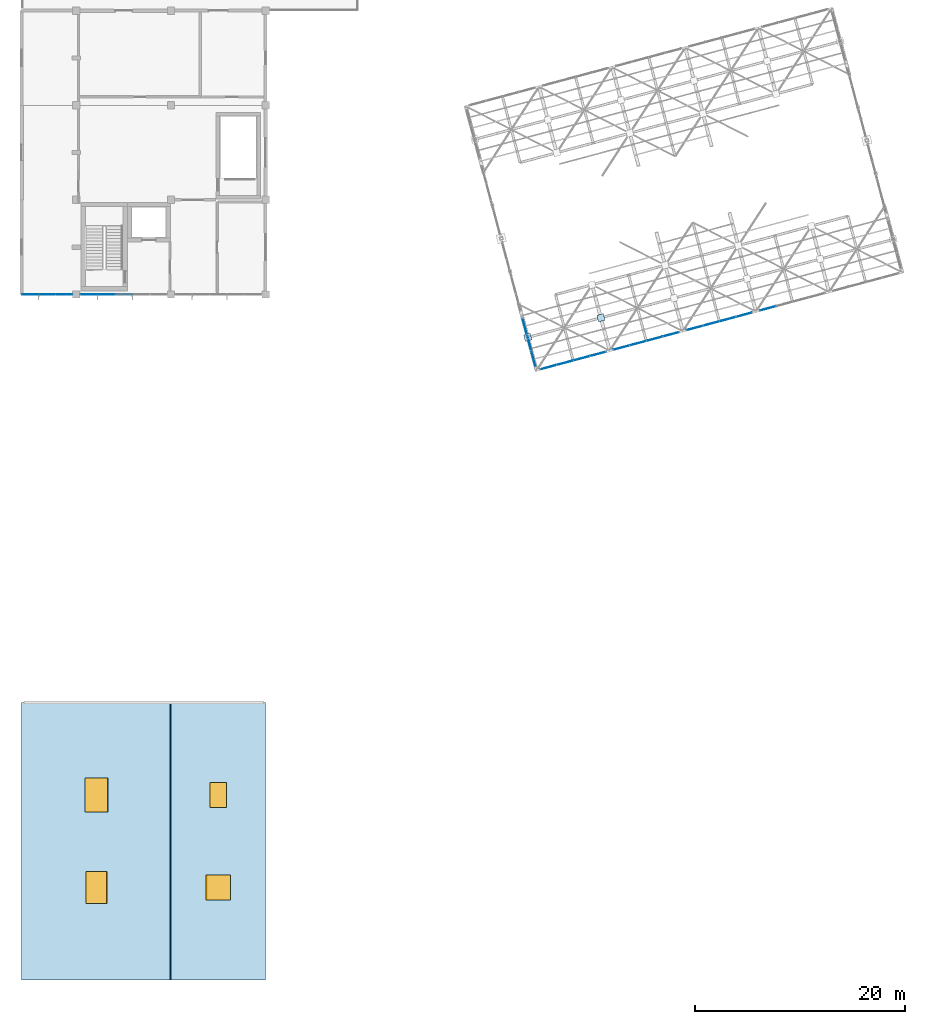
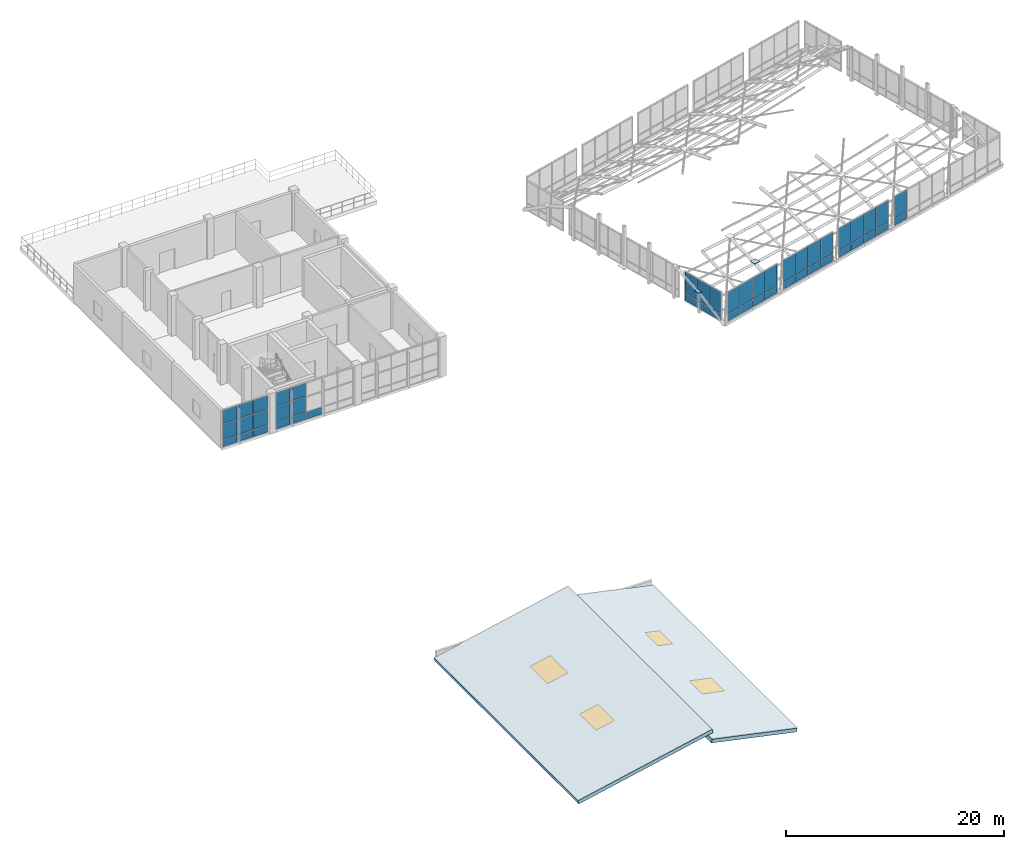
# One storey, part 22 of 29: 50 plates, 4 windows, 2 slabs, 4 openings, 7 elements without a shape of their own.
"""IFC4 building model written with IfcOpenShell, lengths in metres."""

import ifcopenshell
import ifcopenshell.guid

model = None  # the IFC model being written
_history = None  # IfcOwnerHistory: only IFC2X3 demands one
_inside = {}  # id of a spatial element -> (the spatial element, [elements in it])
_under = {}  # id of a project, library or spatial element -> (it, [spatial elements below it])
_declared = {}  # id of a project -> (the project, [libraries it declares])
_typed = {}  # id of a type object -> (the type object, [elements of that type])
_made_of = {}  # id of a material, layer set ... -> (it, [elements and type objects made of it])


def new_model(schema):
    """Start an empty IFC model of exactly this schema.

    Asked for "IFC4X3", IfcOpenShell would pick the latest addendum, in which some entities
    have other attributes; the version numbers below select the first issue.
    IFC2X3 requires an IfcOwnerHistory on every rooted entity: one is made here for all.
    """
    global model, _history
    if schema == "IFC4X3":
        model = ifcopenshell.file(schema_version=(4, 3, 0, 0))
    else:
        model = ifcopenshell.file(schema=schema)
    _inside.clear()
    _under.clear()
    _declared.clear()
    _typed.clear()
    _made_of.clear()
    _history = None
    if model.schema == "IFC2X3":
        org = make("IfcOrganization", Name="unknown")
        user = make(
            "IfcPersonAndOrganization",
            ThePerson=make("IfcPerson", FamilyName="unknown"),
            TheOrganization=org,
        )
        app = make(
            "IfcApplication",
            ApplicationDeveloper=org,
            Version="unknown",
            ApplicationFullName="unknown",
            ApplicationIdentifier="unknown",
        )
        _history = make(
            "IfcOwnerHistory",
            OwningUser=user,
            OwningApplication=app,
            ChangeAction="ADDED",
            CreationDate=0,
        )
    return model


def make(cls, **values):
    """One entity of the class cls with the attributes given. An attribute that is None is left unset."""
    return model.create_entity(
        cls, **{name: value for name, value in values.items() if value is not None}
    )


def rooted(cls, **values):
    """An entity with a GlobalId (a new one), such as an element, a storey or a relation."""
    return make(cls, GlobalId=ifcopenshell.guid.new(), OwnerHistory=_history, **values)


def si_unit(unit_type, name, prefix=None):
    """IfcSIUnit, for example si_unit("LENGTHUNIT", "METRE", prefix="MILLI")."""
    return make("IfcSIUnit", UnitType=unit_type, Prefix=prefix, Name=name)


def assignment(units):
    """IfcUnitAssignment: the units of a project."""
    return None if units is None else make("IfcUnitAssignment", Units=units)


def point(xyz):
    """IfcCartesianPoint."""
    return None if xyz is None else make("IfcCartesianPoint", Coordinates=xyz)


def direction(xyz):
    """IfcDirection."""
    return None if xyz is None else make("IfcDirection", DirectionRatios=xyz)


def frame(location, z_axis=None, x_axis=None):
    """IfcAxis2Placement3D, a coordinate frame: its origin and axes. An axis left out is left unset."""
    return make(
        "IfcAxis2Placement3D",
        Location=point(location),
        Axis=direction(z_axis),
        RefDirection=direction(x_axis),
    )


def frame_2d(location, x_axis=None):
    """IfcAxis2Placement2D, a coordinate frame in the plane: its origin and x axis."""
    return make(
        "IfcAxis2Placement2D", Location=point(location), RefDirection=direction(x_axis)
    )


def origin():
    """The frame at (0, 0, 0) with its axes left unset."""
    return frame((0.0, 0.0, 0.0))


def origin_2d():
    """The frame at (0, 0) in the plane with its x axis left unset."""
    return frame_2d((0.0, 0.0))


def place(relative_to, where):
    """IfcLocalPlacement: puts the frame where relative to a parent placement (None: the world)."""
    return make(
        "IfcLocalPlacement", PlacementRelTo=relative_to, RelativePlacement=where
    )


def context(
    kind, dimensions, precision=None, world=None, true_north=None, identifier=None
):
    """IfcGeometricRepresentationContext, for example the 3D "Model" context."""
    return make(
        "IfcGeometricRepresentationContext",
        ContextIdentifier=identifier,
        ContextType=kind,
        CoordinateSpaceDimension=dimensions,
        Precision=precision,
        WorldCoordinateSystem=world,
        TrueNorth=true_north,
    )


def subcontext(parent, identifier, kind, view, scale=None):
    """IfcGeometricRepresentationSubContext, for example "Body" below "Model"."""
    return make(
        "IfcGeometricRepresentationSubContext",
        ContextIdentifier=identifier,
        ContextType=kind,
        ParentContext=parent,
        TargetScale=scale,
        TargetView=view,
    )


def project(units=None, contexts=None):
    """IfcProject with its units and contexts."""
    return rooted(
        "IfcProject",
        Name="project",
        RepresentationContexts=contexts,
        UnitsInContext=assignment(units),
    )


def spatial(cls, under=None, at=None, **own):
    """A site, building, storey or space (cls), placed at a placement, below another one or the project."""
    s = rooted(cls, ObjectPlacement=at, **own)
    if under is not None:
        _under.setdefault(under.id(), (under, []))[1].append(s)
    return s


def polyline(points):
    """IfcPolyline through the points."""
    return make("IfcPolyline", Points=[point(p) for p in points])


def profile(cls, at=None, kind="AREA", **sizes):
    """A parametric profile (cls). Its sizes go by their IFC names, for example OverallWidth=200.0."""
    return make(cls, ProfileType=kind, Position=at, **sizes)


def rectangle(**sizes):
    """IfcRectangleProfileDef."""
    return profile("IfcRectangleProfileDef", **sizes)


def outline(outer, holes=None, kind="AREA"):
    """IfcArbitraryClosedProfileDef: a profile drawn as a closed curve; with holes, ...WithVoids."""
    if holes is None:
        return make("IfcArbitraryClosedProfileDef", ProfileType=kind, OuterCurve=outer)
    return make(
        "IfcArbitraryProfileDefWithVoids",
        ProfileType=kind,
        OuterCurve=outer,
        InnerCurves=holes,
    )


def extrude(swept, where, along, depth):
    """IfcExtrudedAreaSolid: the profile swept, set in the frame where, extruded along a direction by depth."""
    return make(
        "IfcExtrudedAreaSolid",
        SweptArea=swept,
        Position=where,
        ExtrudedDirection=direction(along),
        Depth=depth,
    )


def shape(context_of_items, identifier, shape_type, items):
    """IfcShapeRepresentation: the items that make up one representation, for example the "Body"."""
    return make(
        "IfcShapeRepresentation",
        ContextOfItems=context_of_items,
        RepresentationIdentifier=identifier,
        RepresentationType=shape_type,
        Items=items,
    )


def material(Name=None, Category=None):
    """IfcMaterial."""
    return make("IfcMaterial", Name=Name, Category=Category)


def layer(
    of_material, thickness, ventilated=None, Name=None, Category=None, Priority=None
):
    """IfcMaterialLayer: one layer of a wall or slab, of a material (None: an air gap)."""
    return make(
        "IfcMaterialLayer",
        Material=of_material,
        LayerThickness=thickness,
        IsVentilated=ventilated,
        Name=Name,
        Category=Category,
        Priority=Priority,
    )


def layer_set(layers, Name=None):
    """IfcMaterialLayerSet."""
    return make("IfcMaterialLayerSet", MaterialLayers=layers, LayerSetName=Name)


def made_of(thing, what):
    """Note that an element or type object is made of a material, layer set ...; save() writes the relation."""
    if what is not None:
        _made_of.setdefault(what.id(), (what, []))[1].append(thing)
    return thing


def type_object(cls, material=None, **own):
    """A type object (cls), such as IfcWallType, which elements share."""
    return made_of(rooted(cls, **own), material)


def element(
    cls,
    number,
    at=None,
    inside=None,
    cuts=None,
    type_object=None,
    material=None,
    context=None,
    identifier="Body",
    shape_type=None,
    held_by="IfcProductDefinitionShape",
    body=None,
    shapes=None,
    **own,
):
    """One element of the class cls, such as IfcWall. Its Tag is "e" and its number.

    at: its placement. inside: the storey or other place that contains it. cuts: it is an
    opening in that element (IfcRelVoidsElement). A single representation is given by context,
    identifier, shape_type and body (its items); several are given by shapes. held_by: the class
    of the entity that holds the representations. save() writes the other relations.
    """
    e = rooted(cls, Tag="e%d" % number, ObjectPlacement=at, **own)
    if body is not None:
        shapes = [shape(context, identifier, shape_type, body)]
    if shapes is not None:
        e.Representation = make(held_by, Representations=shapes)
    if inside is not None:
        _inside.setdefault(inside.id(), (inside, []))[1].append(e)
    if cuts is not None:
        rooted(
            "IfcRelVoidsElement", RelatingBuildingElement=cuts, RelatedOpeningElement=e
        )
    if type_object is not None:
        _typed.setdefault(type_object.id(), (type_object, []))[1].append(e)
    return made_of(e, material)


def fill(opening, filler):
    """IfcRelFillsElement: the door or window that sits in an opening."""
    return rooted(
        "IfcRelFillsElement",
        RelatingOpeningElement=opening,
        RelatedBuildingElement=filler,
    )


def aggregate(whole, parts):
    """IfcRelAggregates: a whole, such as a stair, and the parts it consists of."""
    return rooted("IfcRelAggregates", RelatingObject=whole, RelatedObjects=parts)


def save(model, path):
    """Write the relations noted so far, then the file.

    IfcRelAggregates (storeys below a building ...), IfcRelContainedInSpatialStructure (elements
    in a storey), IfcRelDefinesByType, IfcRelAssociatesMaterial and IfcRelDeclares: one each for
    every whole, place, type object, material and project.
    """
    for whole, parts in _under.values():
        aggregate(whole, parts)
    for where, things in _inside.values():
        rooted(
            "IfcRelContainedInSpatialStructure",
            RelatedElements=things,
            RelatingStructure=where,
        )
    for kind, things in _typed.values():
        rooted("IfcRelDefinesByType", RelatedObjects=things, RelatingType=kind)
    for what, things in _made_of.values():
        rooted("IfcRelAssociatesMaterial", RelatedObjects=things, RelatingMaterial=what)
    for by, libraries in _declared.values():
        rooted("IfcRelDeclares", RelatingContext=by, RelatedDefinitions=libraries)
    model.write(path)


model = new_model("IFC4")

# Units and contexts
model_context = context("Model", 3, precision=1e-05, world=origin(), true_north=direction((0.0, 1.0)))
body_context = subcontext(model_context, "Body", "Model", "MODEL_VIEW")
ifc_project = project(units=[si_unit("LENGTHUNIT", "METRE"), si_unit("AREAUNIT", "SQUARE_METRE"), si_unit("VOLUMEUNIT", "CUBIC_METRE"), si_unit("PLANEANGLEUNIT", "RADIAN"), si_unit("MASSUNIT", "GRAM", prefix="KILO")], contexts=[model_context])

# Site, building, storey
site_placement = place(None, origin())
site = spatial("IfcSite", under=ifc_project, at=site_placement, CompositionType="ELEMENT")
building_placement = place(site_placement, origin())
building = spatial("IfcBuilding", under=site, at=building_placement, Name="Ventoquebrada Cableway Terminal", CompositionType="ELEMENT")
storey_placement = place(building_placement, frame((0.0, 0.0, 18.89990234375)))
storey = spatial("IfcBuildingStorey", under=building, at=storey_placement, Name="L04", CompositionType="ELEMENT", Elevation=18.89990234375)

# Curtain wall, plates
ifc_material_1 = material(Name="Anodized thermally-broken aluminium", Category="aluminium")
ifc_layer_1 = layer(ifc_material_1, 0.159912109375)
ifc_layer_set_1 = layer_set([ifc_layer_1], Name="Anodized thermally-broken aluminium")
curtain_wall_type_1 = type_object("IfcCurtainWallType", Name="CW-T25", PredefinedType="USERDEFINED", material=ifc_layer_set_1)
curtain_wall_1_placement = place(storey_placement, origin())
curtain_wall_1 = element("IfcCurtainWall", 1, at=curtain_wall_1_placement, inside=storey, type_object=curtain_wall_type_1, Name="Unitised glazed curtain wall CW-060", ObjectType="UNITISED CURTAIN WALL", PredefinedType="USERDEFINED")
ifc_material_2 = material(Name="Double low-e laminated safety glazing", Category="glass")
ifc_layer_2 = layer(ifc_material_2, 0.031982421875)
ifc_layer_set_2 = layer_set([ifc_layer_2], Name="Double low-e laminated safety glazing")
plate_type_1 = type_object("IfcPlateType", Name="CWP-GL1", PredefinedType="CURTAIN_PANEL", material=ifc_layer_set_2)
plate_1_placement = place(storey_placement, frame((3.824951171875, 77.0, 2.626953125), z_axis=(0.0, 0.0, 1.0), x_axis=(1.0, 0.0, 0.0)))
plate_1 = element("IfcPlate", 2, at=plate_1_placement, type_object=plate_type_1, Name="Vision glazing panel PN-0596", PredefinedType="CURTAIN_PANEL", context=body_context, shape_type="SweptSolid", body=[
    extrude(rectangle(XDim=1.535888671875, YDim=0.031982421875, at=origin_2d()), origin(), (0.0, 0.0, 1.0), 1.498046875),
])
plate_2_placement = place(storey_placement, frame((5.422119140625, 77.0, 0.879638671875), z_axis=(0.0, 0.0, 1.0), x_axis=(1.0, 0.0, 0.0)))
plate_2 = element("IfcPlate", 3, at=plate_2_placement, type_object=plate_type_1, Name="Vision glazing panel PN-0598", PredefinedType="CURTAIN_PANEL", context=body_context, shape_type="SweptSolid", body=[
    extrude(rectangle(XDim=1.571044921875, YDim=0.031982421875, at=origin_2d()), origin(), (0.0, 0.0, 1.0), 1.68896484375),
])
plate_3_placement = place(storey_placement, frame((7.02001953125, 77.0, 2.626953125), z_axis=(0.0, 0.0, 1.0), x_axis=(1.0, 0.0, 0.0)))
plate_3 = element("IfcPlate", 4, at=plate_3_placement, type_object=plate_type_1, Name="Vision glazing panel PN-0602", PredefinedType="CURTAIN_PANEL", context=body_context, shape_type="SweptSolid", body=[
    extrude(rectangle(XDim=1.535888671875, YDim=0.031982421875, at=origin_2d()), origin(), (0.0, 0.0, 1.0), 1.498046875),
])

ifc_layer_3 = layer(ifc_material_1, 0.159912109375)
ifc_layer_set_3 = layer_set([ifc_layer_3], Name="Anodized thermally-broken aluminium")
curtain_wall_type_2 = type_object("IfcCurtainWallType", Name="CW-T26", PredefinedType="USERDEFINED", material=ifc_layer_set_3)
curtain_wall_2_placement = place(storey_placement, origin())
curtain_wall_2 = element("IfcCurtainWall", 5, at=curtain_wall_2_placement, inside=storey, type_object=curtain_wall_type_2, Name="Unitised glazed curtain wall CW-061", ObjectType="UNITISED CURTAIN WALL", PredefinedType="USERDEFINED")
plate_4_placement = place(storey_placement, frame((9.402099609375, 77.0, 2.626953125), z_axis=(0.0, 0.0, 1.0), x_axis=(1.0, 0.0, 0.0)))
plate_4 = element("IfcPlate", 6, at=plate_4_placement, type_object=plate_type_1, Name="Vision glazing panel PN-0605", PredefinedType="CURTAIN_PANEL", context=body_context, shape_type="SweptSolid", body=[
    extrude(rectangle(XDim=1.5791015625, YDim=0.031982421875, at=origin_2d()), origin(), (0.0, 0.0, 1.0), 1.498046875),
])
plate_5_placement = place(storey_placement, frame((11.0419921875, 77.0, 0.879638671875), z_axis=(0.0, 0.0, 1.0), x_axis=(1.0, 0.0, 0.0)))
plate_5 = element("IfcPlate", 7, at=plate_5_placement, type_object=plate_type_1, Name="Vision glazing panel PN-0607", PredefinedType="CURTAIN_PANEL", context=body_context, shape_type="SweptSolid", body=[
    extrude(rectangle(XDim=1.614013671875, YDim=0.031982421875, at=origin_2d()), origin(), (0.0, 0.0, 1.0), 1.68896484375),
])

ifc_layer_4 = layer(ifc_material_1, 0.159912109375)
ifc_layer_set_4 = layer_set([ifc_layer_4], Name="Anodized thermally-broken aluminium")
curtain_wall_type_3 = type_object("IfcCurtainWallType", Name="CW-T45", PredefinedType="USERDEFINED", material=ifc_layer_set_4)
curtain_wall_3_placement = place(storey_placement, origin())
curtain_wall_3 = element("IfcCurtainWall", 8, at=curtain_wall_3_placement, inside=storey, type_object=curtain_wall_type_3, Name="Unitised glazed curtain wall CW-133", ObjectType="UNITISED CURTAIN WALL", PredefinedType="USERDEFINED")
plate_6_placement = place(storey_placement, frame((54.669921875, 70.506103515625, 1.97412109375), z_axis=(0.0, 0.0, 1.0), x_axis=(0.965943892913, 0.258751610128, 0.0)))
plate_6 = element("IfcPlate", 9, at=plate_6_placement, type_object=plate_type_1, Name="Vision glazing panel PN-1410", PredefinedType="CURTAIN_PANEL", context=body_context, shape_type="SweptSolid", body=[
    extrude(rectangle(XDim=1.5810546875, YDim=0.031982421875, at=origin_2d()), origin(), (0.0, 0.0, 1.0), 2.416015625),
])
plate_7_placement = place(storey_placement, frame((57.79296875, 71.342041015625, 1.97412109375), z_axis=(0.0, 0.0, 1.0), x_axis=(0.965943892913, 0.258751610128, 0.0)))
plate_7 = element("IfcPlate", 10, at=plate_7_placement, type_object=plate_type_1, Name="Vision glazing panel PN-1414", PredefinedType="CURTAIN_PANEL", context=body_context, shape_type="SweptSolid", body=[
    extrude(rectangle(XDim=1.5458984375, YDim=0.031982421875, at=origin_2d()), origin(), (0.0, 0.0, 1.0), 2.416015625),
])

curtain_wall_4_placement = place(storey_placement, origin())
curtain_wall_4 = element("IfcCurtainWall", 11, at=curtain_wall_4_placement, inside=storey, type_object=curtain_wall_type_3, Name="Unitised glazed curtain wall CW-134", ObjectType="UNITISED CURTAIN WALL", PredefinedType="USERDEFINED")
plate_8_placement = place(storey_placement, frame((61.6259765625, 72.368896484375, 1.97412109375), z_axis=(0.0, 0.0, 1.0), x_axis=(0.965894198369, 0.258937053273, 0.0)))
plate_8 = element("IfcPlate", 12, at=plate_8_placement, type_object=plate_type_1, Name="Vision glazing panel PN-1418", PredefinedType="CURTAIN_PANEL", context=body_context, shape_type="SweptSolid", body=[
    extrude(rectangle(XDim=1.5810546875, YDim=0.031982421875, at=origin_2d()), origin(), (0.0, 0.0, 1.0), 2.416015625),
])
plate_9_placement = place(storey_placement, frame((64.748046875, 73.2060546875, 1.97412109375), z_axis=(0.0, 0.0, 1.0), x_axis=(0.965894198369, 0.258937053273, 0.0)))
plate_9 = element("IfcPlate", 13, at=plate_9_placement, type_object=plate_type_1, Name="Vision glazing panel PN-1422", PredefinedType="CURTAIN_PANEL", context=body_context, shape_type="SweptSolid", body=[
    extrude(rectangle(XDim=1.5458984375, YDim=0.031982421875, at=origin_2d()), origin(), (0.0, 0.0, 1.0), 2.416015625),
])

curtain_wall_5_placement = place(storey_placement, origin())
curtain_wall_5 = element("IfcCurtainWall", 14, at=curtain_wall_5_placement, inside=storey, type_object=curtain_wall_type_3, Name="Unitised glazed curtain wall CW-135", ObjectType="UNITISED CURTAIN WALL", PredefinedType="USERDEFINED")
plate_10_placement = place(storey_placement, frame((68.5791015625, 74.23291015625, 1.97412109375), z_axis=(0.0, 0.0, 1.0), x_axis=(0.965943892913, 0.258751610128, 0.0)))
plate_10 = element("IfcPlate", 15, at=plate_10_placement, type_object=plate_type_1, Name="Vision glazing panel PN-1426", PredefinedType="CURTAIN_PANEL", context=body_context, shape_type="SweptSolid", body=[
    extrude(rectangle(XDim=1.5810546875, YDim=0.031982421875, at=origin_2d()), origin(), (0.0, 0.0, 1.0), 2.416015625),
])
plate_11_placement = place(storey_placement, frame((71.701904296875, 75.069091796875, 1.97412109375), z_axis=(0.0, 0.0, 1.0), x_axis=(0.965943892913, 0.258751610128, 0.0)))
plate_11 = element("IfcPlate", 16, at=plate_11_placement, type_object=plate_type_1, Name="Vision glazing panel PN-1430", PredefinedType="CURTAIN_PANEL", context=body_context, shape_type="SweptSolid", body=[
    extrude(rectangle(XDim=1.5458984375, YDim=0.031982421875, at=origin_2d()), origin(), (0.0, 0.0, 1.0), 2.416015625),
])

# Curtain wall, plate
ifc_layer_5 = layer(ifc_material_1, 0.159912109375)
ifc_layer_set_5 = layer_set([ifc_layer_5], Name="Anodized thermally-broken aluminium")
curtain_wall_type_4 = type_object("IfcCurtainWallType", Name="CW-T46", PredefinedType="USERDEFINED", material=ifc_layer_set_5)
curtain_wall_6_placement = place(storey_placement, origin())
curtain_wall_6 = element("IfcCurtainWall", 17, at=curtain_wall_6_placement, inside=storey, type_object=curtain_wall_type_4, Name="Unitised glazed curtain wall CW-143", ObjectType="UNITISED CURTAIN WALL", PredefinedType="USERDEFINED")
plate_12_placement = place(storey_placement, frame((51.26611328125, 72.43994140625, 1.97412109375), z_axis=(0.0, 0.0, 1.0), x_axis=(0.258717892168, -0.96595292446, 0.0)))
plate_12 = element("IfcPlate", 18, at=plate_12_placement, type_object=plate_type_1, Name="Vision glazing panel PN-1490", PredefinedType="CURTAIN_PANEL", context=body_context, shape_type="SweptSolid", body=[
    extrude(rectangle(XDim=1.555908203125, YDim=0.031982421875, at=origin_2d()), origin(), (0.0, 0.0, 1.0), 2.416015625),
])

# Plate
ifc_layer_6 = layer(ifc_material_2, 0.0380859375)
ifc_layer_set_6 = layer_set([ifc_layer_6], Name="Double low-e laminated safety glazing")
plate_type_2 = type_object("IfcPlateType", Name="CWP-GL2", PredefinedType="CURTAIN_PANEL", material=ifc_layer_set_6)
plate_13_placement = place(storey_placement, frame((3.824951171875, 77.0, 0.879638671875), z_axis=(0.0, 0.0, 1.0), x_axis=(1.0, 0.0, 0.0)))
plate_13 = element("IfcPlate", 19, at=plate_13_placement, type_object=plate_type_2, Name="Vision glazing panel PN-0595", PredefinedType="CURTAIN_PANEL", context=body_context, shape_type="SweptSolid", body=[
    extrude(rectangle(XDim=1.535888671875, YDim=0.0380859375, at=origin_2d()), origin(), (0.0, 0.0, 1.0), 1.68896484375),
])

plate_14_placement = place(storey_placement, frame((5.422119140625, 77.0, 2.626953125), z_axis=(0.0, 0.0, 1.0), x_axis=(1.0, 0.0, 0.0)))
plate_14 = element("IfcPlate", 20, at=plate_14_placement, type_object=plate_type_2, Name="Vision glazing panel PN-0599", PredefinedType="CURTAIN_PANEL", context=body_context, shape_type="SweptSolid", body=[
    extrude(rectangle(XDim=1.571044921875, YDim=0.0380859375, at=origin_2d()), origin(), (0.0, 0.0, 1.0), 1.498046875),
])

plate_15_placement = place(storey_placement, frame((7.02001953125, 77.0, 0.879638671875), z_axis=(0.0, 0.0, 1.0), x_axis=(1.0, 0.0, 0.0)))
plate_15 = element("IfcPlate", 21, at=plate_15_placement, type_object=plate_type_2, Name="Vision glazing panel PN-0601", PredefinedType="CURTAIN_PANEL", context=body_context, shape_type="SweptSolid", body=[
    extrude(rectangle(XDim=1.535888671875, YDim=0.0380859375, at=origin_2d()), origin(), (0.0, 0.0, 1.0), 1.68896484375),
])

plate_16_placement = place(storey_placement, frame((9.402099609375, 77.0, 0.879638671875), z_axis=(0.0, 0.0, 1.0), x_axis=(1.0, 0.0, 0.0)))
plate_16 = element("IfcPlate", 22, at=plate_16_placement, type_object=plate_type_2, Name="Vision glazing panel PN-0604", PredefinedType="CURTAIN_PANEL", context=body_context, shape_type="SweptSolid", body=[
    extrude(rectangle(XDim=1.5791015625, YDim=0.0380859375, at=origin_2d()), origin(), (0.0, 0.0, 1.0), 1.68896484375),
])

plate_17_placement = place(storey_placement, frame((11.0419921875, 77.0, 2.626953125), z_axis=(0.0, 0.0, 1.0), x_axis=(1.0, 0.0, 0.0)))
plate_17 = element("IfcPlate", 23, at=plate_17_placement, type_object=plate_type_2, Name="Vision glazing panel PN-0608", PredefinedType="CURTAIN_PANEL", context=body_context, shape_type="SweptSolid", body=[
    extrude(rectangle(XDim=1.614013671875, YDim=0.0380859375, at=origin_2d()), origin(), (0.0, 0.0, 1.0), 1.498046875),
])

plate_18_placement = place(storey_placement, frame((53.117919921875, 70.090087890625, 1.97412109375), z_axis=(0.0, 0.0, 1.0), x_axis=(0.965943892913, 0.258751610128, 0.0)))
plate_18 = element("IfcPlate", 24, at=plate_18_placement, type_object=plate_type_2, Name="Vision glazing panel PN-1408", PredefinedType="CURTAIN_PANEL", context=body_context, shape_type="SweptSolid", body=[
    extrude(rectangle(XDim=1.5458984375, YDim=0.0380859375, at=origin_2d()), origin(), (0.0, 0.0, 1.0), 2.416015625),
])

plate_19_placement = place(storey_placement, frame((56.239990234375, 70.926025390625, 1.97412109375), z_axis=(0.0, 0.0, 1.0), x_axis=(0.965943892913, 0.258751610128, 0.0)))
plate_19 = element("IfcPlate", 25, at=plate_19_placement, type_object=plate_type_2, Name="Vision glazing panel PN-1412", PredefinedType="CURTAIN_PANEL", context=body_context, shape_type="SweptSolid", body=[
    extrude(rectangle(XDim=1.5810546875, YDim=0.0380859375, at=origin_2d()), origin(), (0.0, 0.0, 1.0), 2.416015625),
])

plate_20_placement = place(storey_placement, frame((60.072998046875, 71.952880859375, 1.97412109375), z_axis=(0.0, 0.0, 1.0), x_axis=(0.965894198369, 0.258937053273, 0.0)))
plate_20 = element("IfcPlate", 26, at=plate_20_placement, type_object=plate_type_2, Name="Vision glazing panel PN-1416", PredefinedType="CURTAIN_PANEL", context=body_context, shape_type="SweptSolid", body=[
    extrude(rectangle(XDim=1.5458984375, YDim=0.0380859375, at=origin_2d()), origin(), (0.0, 0.0, 1.0), 2.416015625),
])

plate_21_placement = place(storey_placement, frame((63.194091796875, 72.7900390625, 1.97412109375), z_axis=(0.0, 0.0, 1.0), x_axis=(0.965894198369, 0.258937053273, 0.0)))
plate_21 = element("IfcPlate", 27, at=plate_21_placement, type_object=plate_type_2, Name="Vision glazing panel PN-1420", PredefinedType="CURTAIN_PANEL", context=body_context, shape_type="SweptSolid", body=[
    extrude(rectangle(XDim=1.5810546875, YDim=0.0380859375, at=origin_2d()), origin(), (0.0, 0.0, 1.0), 2.416015625),
])

plate_22_placement = place(storey_placement, frame((67.027099609375, 73.81689453125, 1.97412109375), z_axis=(0.0, 0.0, 1.0), x_axis=(0.965943892913, 0.258751610128, 0.0)))
plate_22 = element("IfcPlate", 28, at=plate_22_placement, type_object=plate_type_2, Name="Vision glazing panel PN-1424", PredefinedType="CURTAIN_PANEL", context=body_context, shape_type="SweptSolid", body=[
    extrude(rectangle(XDim=1.5458984375, YDim=0.0380859375, at=origin_2d()), origin(), (0.0, 0.0, 1.0), 2.416015625),
])

plate_23_placement = place(storey_placement, frame((70.14892578125, 74.653076171875, 1.97412109375), z_axis=(0.0, 0.0, 1.0), x_axis=(0.965943892913, 0.258751610128, 0.0)))
plate_23 = element("IfcPlate", 29, at=plate_23_placement, type_object=plate_type_2, Name="Vision glazing panel PN-1428", PredefinedType="CURTAIN_PANEL", context=body_context, shape_type="SweptSolid", body=[
    extrude(rectangle(XDim=1.5810546875, YDim=0.0380859375, at=origin_2d()), origin(), (0.0, 0.0, 1.0), 2.416015625),
])

# Curtain wall, plate
curtain_wall_7_placement = place(storey_placement, origin())
curtain_wall_7 = element("IfcCurtainWall", 30, at=curtain_wall_7_placement, inside=storey, type_object=curtain_wall_type_3, Name="Unitised glazed curtain wall CW-136", ObjectType="UNITISED CURTAIN WALL", PredefinedType="USERDEFINED")
plate_24_placement = place(storey_placement, frame((73.98193359375, 75.679931640625, 1.97412109375), z_axis=(0.0, 0.0, 1.0), x_axis=(0.965903236389, 0.258903337047, 0.0)))
plate_24 = element("IfcPlate", 31, at=plate_24_placement, type_object=plate_type_2, Name="Vision glazing panel PN-1432", PredefinedType="CURTAIN_PANEL", context=body_context, shape_type="SweptSolid", body=[
    extrude(rectangle(XDim=1.5458984375, YDim=0.0380859375, at=origin_2d()), origin(), (0.0, 0.0, 1.0), 2.416015625),
])

# Plate
plate_25_placement = place(storey_placement, frame((50.85693359375, 73.968994140625, 1.97412109375), z_axis=(0.0, 0.0, 1.0), x_axis=(0.258717892168, -0.96595292446, 0.0)))
plate_25 = element("IfcPlate", 32, at=plate_25_placement, type_object=plate_type_2, Name="Vision glazing panel PN-1488", PredefinedType="CURTAIN_PANEL", context=body_context, shape_type="SweptSolid", body=[
    extrude(rectangle(XDim=1.52099609375, YDim=0.0380859375, at=origin_2d()), origin(), (0.0, 0.0, 1.0), 2.416015625),
])

plate_26_placement = place(storey_placement, frame((51.675048828125, 70.912109375, 1.97412109375), z_axis=(0.0, 0.0, 1.0), x_axis=(0.258717892168, -0.96595292446, 0.0)))
plate_26 = element("IfcPlate", 33, at=plate_26_placement, type_object=plate_type_2, Name="Vision glazing panel PN-1492", PredefinedType="CURTAIN_PANEL", context=body_context, shape_type="SweptSolid", body=[
    extrude(rectangle(XDim=1.52099609375, YDim=0.0380859375, at=origin_2d()), origin(), (0.0, 0.0, 1.0), 2.416015625),
])

ifc_material_3 = material(Name="Insulated aluminium spandrel cassette", Category="aluminium")
ifc_layer_7 = layer(ifc_material_3, 0.044921875)
ifc_layer_set_7 = layer_set([ifc_layer_7], Name="Insulated aluminium spandrel cassette")
plate_type_3 = type_object("IfcPlateType", Name="CWP-SP1", PredefinedType="CURTAIN_PANEL", material=ifc_layer_set_7)
plate_27_placement = place(storey_placement, frame((3.824951171875, 77.0, 0.06494140625), z_axis=(0.0, 0.0, 1.0), x_axis=(1.0, 0.0, 0.0)))
plate_27 = element("IfcPlate", 34, at=plate_27_placement, type_object=plate_type_3, Name="Insulated spandrel panel PN-0594", PredefinedType="CURTAIN_PANEL", context=body_context, shape_type="SweptSolid", body=[
    extrude(rectangle(XDim=1.535888671875, YDim=0.044921875, at=origin_2d()), origin(), (0.0, 0.0, 1.0), 0.756103515625),
])

plate_28_placement = place(storey_placement, frame((5.422119140625, 77.0, 0.06494140625), z_axis=(0.0, 0.0, 1.0), x_axis=(1.0, 0.0, 0.0)))
plate_28 = element("IfcPlate", 35, at=plate_28_placement, type_object=plate_type_3, Name="Insulated spandrel panel PN-0597", PredefinedType="CURTAIN_PANEL", context=body_context, shape_type="SweptSolid", body=[
    extrude(rectangle(XDim=1.571044921875, YDim=0.044921875, at=origin_2d()), origin(), (0.0, 0.0, 1.0), 0.756103515625),
])

plate_29_placement = place(storey_placement, frame((7.02001953125, 77.0, 0.06494140625), z_axis=(0.0, 0.0, 1.0), x_axis=(1.0, 0.0, 0.0)))
plate_29 = element("IfcPlate", 36, at=plate_29_placement, type_object=plate_type_3, Name="Insulated spandrel panel PN-0600", PredefinedType="CURTAIN_PANEL", context=body_context, shape_type="SweptSolid", body=[
    extrude(rectangle(XDim=1.535888671875, YDim=0.044921875, at=origin_2d()), origin(), (0.0, 0.0, 1.0), 0.756103515625),
])

aggregate(curtain_wall_1, [plate_27, plate_13, plate_1, plate_28, plate_2, plate_14, plate_29, plate_15, plate_3])

plate_30_placement = place(storey_placement, frame((9.402099609375, 77.0, 0.06494140625), z_axis=(0.0, 0.0, 1.0), x_axis=(1.0, 0.0, 0.0)))
plate_30 = element("IfcPlate", 37, at=plate_30_placement, type_object=plate_type_3, Name="Insulated spandrel panel PN-0603", PredefinedType="CURTAIN_PANEL", context=body_context, shape_type="SweptSolid", body=[
    extrude(rectangle(XDim=1.5791015625, YDim=0.044921875, at=origin_2d()), origin(), (0.0, 0.0, 1.0), 0.756103515625),
])

plate_31_placement = place(storey_placement, frame((11.0419921875, 77.0, 0.06494140625), z_axis=(0.0, 0.0, 1.0), x_axis=(1.0, 0.0, 0.0)))
plate_31 = element("IfcPlate", 38, at=plate_31_placement, type_object=plate_type_3, Name="Insulated spandrel panel PN-0606", PredefinedType="CURTAIN_PANEL", context=body_context, shape_type="SweptSolid", body=[
    extrude(rectangle(XDim=1.614013671875, YDim=0.044921875, at=origin_2d()), origin(), (0.0, 0.0, 1.0), 0.756103515625),
])

plate_32_placement = place(storey_placement, frame((12.699951171875, 77.0, 0.06494140625), z_axis=(0.0, 0.0, 1.0), x_axis=(1.0, 0.0, 0.0)))
plate_32 = element("IfcPlate", 39, at=plate_32_placement, type_object=plate_type_3, Name="Insulated spandrel panel PN-0609", PredefinedType="CURTAIN_PANEL", context=body_context, shape_type="SweptSolid", body=[
    extrude(rectangle(XDim=1.614013671875, YDim=0.044921875, at=origin_2d()), origin(), (0.0, 0.0, 1.0), 0.756103515625),
])

aggregate(curtain_wall_2, [plate_30, plate_16, plate_4, plate_31, plate_5, plate_17, plate_32])

plate_33_placement = place(storey_placement, frame((53.117919921875, 70.090087890625, 1.16015625), z_axis=(0.0, 0.0, 1.0), x_axis=(0.965943892913, 0.258751610128, 0.0)))
plate_33 = element("IfcPlate", 40, at=plate_33_placement, type_object=plate_type_3, Name="Insulated spandrel panel PN-1407", PredefinedType="CURTAIN_PANEL", context=body_context, shape_type="SweptSolid", body=[
    extrude(rectangle(XDim=1.5458984375, YDim=0.044921875, at=origin_2d()), origin(), (0.0, 0.0, 1.0), 0.756103515625),
])

plate_34_placement = place(storey_placement, frame((54.669921875, 70.506103515625, 1.16015625), z_axis=(0.0, 0.0, 1.0), x_axis=(0.965943892913, 0.258751610128, 0.0)))
plate_34 = element("IfcPlate", 41, at=plate_34_placement, type_object=plate_type_3, Name="Insulated spandrel panel PN-1409", PredefinedType="CURTAIN_PANEL", context=body_context, shape_type="SweptSolid", body=[
    extrude(rectangle(XDim=1.5810546875, YDim=0.044921875, at=origin_2d()), origin(), (0.0, 0.0, 1.0), 0.756103515625),
])

plate_35_placement = place(storey_placement, frame((56.239990234375, 70.926025390625, 1.16015625), z_axis=(0.0, 0.0, 1.0), x_axis=(0.965943892913, 0.258751610128, 0.0)))
plate_35 = element("IfcPlate", 42, at=plate_35_placement, type_object=plate_type_3, Name="Insulated spandrel panel PN-1411", PredefinedType="CURTAIN_PANEL", context=body_context, shape_type="SweptSolid", body=[
    extrude(rectangle(XDim=1.5810546875, YDim=0.044921875, at=origin_2d()), origin(), (0.0, 0.0, 1.0), 0.756103515625),
])

plate_36_placement = place(storey_placement, frame((57.79296875, 71.342041015625, 1.16015625), z_axis=(0.0, 0.0, 1.0), x_axis=(0.965943892913, 0.258751610128, 0.0)))
plate_36 = element("IfcPlate", 43, at=plate_36_placement, type_object=plate_type_3, Name="Insulated spandrel panel PN-1413", PredefinedType="CURTAIN_PANEL", context=body_context, shape_type="SweptSolid", body=[
    extrude(rectangle(XDim=1.5458984375, YDim=0.044921875, at=origin_2d()), origin(), (0.0, 0.0, 1.0), 0.756103515625),
])

aggregate(curtain_wall_3, [plate_33, plate_18, plate_34, plate_6, plate_35, plate_19, plate_36, plate_7])

plate_37_placement = place(storey_placement, frame((60.072998046875, 71.952880859375, 1.16015625), z_axis=(0.0, 0.0, 1.0), x_axis=(0.965894198369, 0.258937053273, 0.0)))
plate_37 = element("IfcPlate", 44, at=plate_37_placement, type_object=plate_type_3, Name="Insulated spandrel panel PN-1415", PredefinedType="CURTAIN_PANEL", context=body_context, shape_type="SweptSolid", body=[
    extrude(rectangle(XDim=1.5458984375, YDim=0.044921875, at=origin_2d()), origin(), (0.0, 0.0, 1.0), 0.756103515625),
])

plate_38_placement = place(storey_placement, frame((61.6259765625, 72.368896484375, 1.16015625), z_axis=(0.0, 0.0, 1.0), x_axis=(0.965894198369, 0.258937053273, 0.0)))
plate_38 = element("IfcPlate", 45, at=plate_38_placement, type_object=plate_type_3, Name="Insulated spandrel panel PN-1417", PredefinedType="CURTAIN_PANEL", context=body_context, shape_type="SweptSolid", body=[
    extrude(rectangle(XDim=1.5810546875, YDim=0.044921875, at=origin_2d()), origin(), (0.0, 0.0, 1.0), 0.756103515625),
])

plate_39_placement = place(storey_placement, frame((63.194091796875, 72.7900390625, 1.16015625), z_axis=(0.0, 0.0, 1.0), x_axis=(0.965894198369, 0.258937053273, 0.0)))
plate_39 = element("IfcPlate", 46, at=plate_39_placement, type_object=plate_type_3, Name="Insulated spandrel panel PN-1419", PredefinedType="CURTAIN_PANEL", context=body_context, shape_type="SweptSolid", body=[
    extrude(rectangle(XDim=1.5810546875, YDim=0.044921875, at=origin_2d()), origin(), (0.0, 0.0, 1.0), 0.756103515625),
])

plate_40_placement = place(storey_placement, frame((64.748046875, 73.2060546875, 1.16015625), z_axis=(0.0, 0.0, 1.0), x_axis=(0.965894198369, 0.258937053273, 0.0)))
plate_40 = element("IfcPlate", 47, at=plate_40_placement, type_object=plate_type_3, Name="Insulated spandrel panel PN-1421", PredefinedType="CURTAIN_PANEL", context=body_context, shape_type="SweptSolid", body=[
    extrude(rectangle(XDim=1.5458984375, YDim=0.044921875, at=origin_2d()), origin(), (0.0, 0.0, 1.0), 0.756103515625),
])

aggregate(curtain_wall_4, [plate_37, plate_20, plate_38, plate_8, plate_39, plate_21, plate_40, plate_9])

plate_41_placement = place(storey_placement, frame((67.027099609375, 73.81689453125, 1.16015625), z_axis=(0.0, 0.0, 1.0), x_axis=(0.965943892913, 0.258751610128, 0.0)))
plate_41 = element("IfcPlate", 48, at=plate_41_placement, type_object=plate_type_3, Name="Insulated spandrel panel PN-1423", PredefinedType="CURTAIN_PANEL", context=body_context, shape_type="SweptSolid", body=[
    extrude(rectangle(XDim=1.5458984375, YDim=0.044921875, at=origin_2d()), origin(), (0.0, 0.0, 1.0), 0.756103515625),
])

plate_42_placement = place(storey_placement, frame((68.5791015625, 74.23291015625, 1.16015625), z_axis=(0.0, 0.0, 1.0), x_axis=(0.965943892913, 0.258751610128, 0.0)))
plate_42 = element("IfcPlate", 49, at=plate_42_placement, type_object=plate_type_3, Name="Insulated spandrel panel PN-1425", PredefinedType="CURTAIN_PANEL", context=body_context, shape_type="SweptSolid", body=[
    extrude(rectangle(XDim=1.5810546875, YDim=0.044921875, at=origin_2d()), origin(), (0.0, 0.0, 1.0), 0.756103515625),
])

plate_43_placement = place(storey_placement, frame((70.14892578125, 74.653076171875, 1.16015625), z_axis=(0.0, 0.0, 1.0), x_axis=(0.965943892913, 0.258751610128, 0.0)))
plate_43 = element("IfcPlate", 50, at=plate_43_placement, type_object=plate_type_3, Name="Insulated spandrel panel PN-1427", PredefinedType="CURTAIN_PANEL", context=body_context, shape_type="SweptSolid", body=[
    extrude(rectangle(XDim=1.5810546875, YDim=0.044921875, at=origin_2d()), origin(), (0.0, 0.0, 1.0), 0.756103515625),
])

plate_44_placement = place(storey_placement, frame((71.701904296875, 75.069091796875, 1.16015625), z_axis=(0.0, 0.0, 1.0), x_axis=(0.965943892913, 0.258751610128, 0.0)))
plate_44 = element("IfcPlate", 51, at=plate_44_placement, type_object=plate_type_3, Name="Insulated spandrel panel PN-1429", PredefinedType="CURTAIN_PANEL", context=body_context, shape_type="SweptSolid", body=[
    extrude(rectangle(XDim=1.5458984375, YDim=0.044921875, at=origin_2d()), origin(), (0.0, 0.0, 1.0), 0.756103515625),
])

aggregate(curtain_wall_5, [plate_41, plate_22, plate_42, plate_10, plate_43, plate_23, plate_44, plate_11])

plate_45_placement = place(storey_placement, frame((73.98193359375, 75.679931640625, 1.16015625), z_axis=(0.0, 0.0, 1.0), x_axis=(0.965903236389, 0.258903337047, 0.0)))
plate_45 = element("IfcPlate", 52, at=plate_45_placement, type_object=plate_type_3, Name="Insulated spandrel panel PN-1431", PredefinedType="CURTAIN_PANEL", context=body_context, shape_type="SweptSolid", body=[
    extrude(rectangle(XDim=1.5458984375, YDim=0.044921875, at=origin_2d()), origin(), (0.0, 0.0, 1.0), 0.756103515625),
])

aggregate(curtain_wall_7, [plate_45, plate_24])

plate_46_placement = place(storey_placement, frame((50.85693359375, 73.968994140625, 1.16015625), z_axis=(0.0, 0.0, 1.0), x_axis=(0.258717892168, -0.96595292446, 0.0)))
plate_46 = element("IfcPlate", 53, at=plate_46_placement, type_object=plate_type_3, Name="Insulated spandrel panel PN-1487", PredefinedType="CURTAIN_PANEL", context=body_context, shape_type="SweptSolid", body=[
    extrude(rectangle(XDim=1.52099609375, YDim=0.044921875, at=origin_2d()), origin(), (0.0, 0.0, 1.0), 0.756103515625),
])

plate_47_placement = place(storey_placement, frame((51.26611328125, 72.43994140625, 1.16015625), z_axis=(0.0, 0.0, 1.0), x_axis=(0.258717892168, -0.96595292446, 0.0)))
plate_47 = element("IfcPlate", 54, at=plate_47_placement, type_object=plate_type_3, Name="Insulated spandrel panel PN-1489", PredefinedType="CURTAIN_PANEL", context=body_context, shape_type="SweptSolid", body=[
    extrude(rectangle(XDim=1.555908203125, YDim=0.044921875, at=origin_2d()), origin(), (0.0, 0.0, 1.0), 0.756103515625),
])

plate_48_placement = place(storey_placement, frame((51.675048828125, 70.912109375, 1.16015625), z_axis=(0.0, 0.0, 1.0), x_axis=(0.258717892168, -0.96595292446, 0.0)))
plate_48 = element("IfcPlate", 55, at=plate_48_placement, type_object=plate_type_3, Name="Insulated spandrel panel PN-1491", PredefinedType="CURTAIN_PANEL", context=body_context, shape_type="SweptSolid", body=[
    extrude(rectangle(XDim=1.52099609375, YDim=0.044921875, at=origin_2d()), origin(), (0.0, 0.0, 1.0), 0.756103515625),
])

aggregate(curtain_wall_6, [plate_46, plate_25, plate_47, plate_12, plate_48, plate_26])

# Plates
ifc_material_4 = material(Name="Steel ASTM A572 Grade 50", Category="steel")
ifc_layer_8 = layer(ifc_material_4, 0.030029296875)
ifc_layer_set_8 = layer_set([ifc_layer_8], Name="Steel ASTM A572 Grade 50")
plate_type_4 = type_object("IfcPlateType", Name="ND-PL01", PredefinedType="SHEET", material=ifc_layer_set_8)
for number, where, z_axis, x_axis, name in (
    (56, (51.136962890625, 72.923095703125, 3.14208984375), (0.0, 0.0, 1.0), (0.965925826289, 0.258819045103, 0.0), "Gridshell welded node cap plate ND-001"),
    (57, (58.091064453125, 74.787109375, 2.83984375), (0.0, 0.0, 1.0), (0.965925826289, 0.258819045103, 0.0), "Gridshell welded node cap plate ND-008"),
):
    element("IfcPlate", number, at=place(storey_placement, frame(where, z_axis=z_axis, x_axis=x_axis)), inside=storey, type_object=plate_type_4, Name=name, PredefinedType="SHEET", context=body_context, shape_type="SweptSolid", body=[
        extrude(rectangle(XDim=0.64990234375, YDim=0.64990234375, at=origin_2d()), origin(), (0.0, 0.0, 1.0), 0.030029296875),
    ])

# Slab, openings, windows
ifc_material_5 = material(Name="Concrete C45/55", Category="concrete")
ifc_layer_9 = layer(ifc_material_5, 0.409912109375)
ifc_layer_set_9 = layer_set([ifc_layer_9], Name="Concrete C45/55")
slab_type = type_object("IfcSlabType", Name="SL-RF2", PredefinedType="ROOF", material=ifc_layer_set_9)
slab_1_placement = place(storey_placement, frame((3.085205078125, 11.800048828125, -0.370849609375), z_axis=(-0.207896770191, 0.0, 0.978150772092), x_axis=(0.978150772092, 0.0, 0.207896770191)))
slab_1 = element("IfcSlab", 58, at=slab_1_placement, inside=storey, type_object=slab_type, Name="Folded roof slab SL-105", PredefinedType="ROOF", context=body_context, shape_type="SweptSolid", body=[
    extrude(outline(polyline([(0.0, 0.0), (14.517139460519381, 0.0), (14.517139460519381, 26.39990234375), (0.0, 26.39990234375), (0.0, 0.0)])), origin(), (0.0, 0.0, 1.0), 0.409912109375),
])
opening_1_placement = place(slab_1_placement, frame((7.2587890625, 8.800048828125, -0.010009765625), z_axis=(0.0, 0.0, 1.0), x_axis=(0.0, 1.0, 0.0)))
opening_1 = element("IfcOpeningElement", 59, at=opening_1_placement, cuts=slab_1, Name="Opening SKY-04", PredefinedType="OPENING", context=body_context, shape_type="SweptSolid", body=[
    extrude(rectangle(XDim=3.0, YDim=2.0, at=origin_2d()), origin(), (0.0, 0.0, 1.0), 0.429931640625),
])
opening_2_placement = place(slab_1_placement, frame((7.2587890625, 17.599853515625, -0.010009765625), z_axis=(0.0, 0.0, 1.0), x_axis=(0.0, 1.0, 0.0)))
opening_2 = element("IfcOpeningElement", 60, at=opening_2_placement, cuts=slab_1, Name="Opening SKY-05", PredefinedType="OPENING", context=body_context, shape_type="SweptSolid", body=[
    extrude(rectangle(XDim=3.199951171875, YDim=2.199951171875, at=origin_2d()), origin(), (0.0, 0.0, 1.0), 0.429931640625),
])
window_type_1 = type_object("IfcWindowType", Name="SK-04", PartitioningType="SINGLE_PANEL", PredefinedType="SKYLIGHT", material=ifc_material_2)
window_1_placement = place(opening_1_placement, frame((0.0, 0.0, 0.33984375)))
window_1 = element("IfcWindow", 61, at=window_1_placement, inside=storey, type_object=window_type_1, Name="Sawtooth northlight skylight SKY-04", OverallHeight=2.0, OverallWidth=3.0, PartitioningType="SINGLE_PANEL", PredefinedType="SKYLIGHT", context=body_context, shape_type="SweptSolid", body=[
    extrude(rectangle(XDim=3.0, YDim=2.0, at=origin_2d()), origin(), (0.0, 0.0, 1.0), 0.080078125),
])
fill(opening_1, window_1)
window_type_2 = type_object("IfcWindowType", Name="SK-05", PartitioningType="SINGLE_PANEL", PredefinedType="SKYLIGHT", material=ifc_material_2)
window_2_placement = place(opening_2_placement, frame((0.0, 0.0, 0.33984375)))
window_2 = element("IfcWindow", 62, at=window_2_placement, inside=storey, type_object=window_type_2, Name="Sawtooth northlight skylight SKY-05", OverallHeight=2.199951171875, OverallWidth=3.199951171875, PartitioningType="SINGLE_PANEL", PredefinedType="SKYLIGHT", context=body_context, shape_type="SweptSolid", body=[
    extrude(rectangle(XDim=3.199951171875, YDim=2.199951171875, at=origin_2d()), origin(), (0.0, 0.0, 1.0), 0.080078125),
])
fill(opening_2, window_2)

slab_2_placement = place(storey_placement, frame((17.11474609375, 11.800048828125, 1.542236328125), z_axis=(0.20791968542, 0.0, 0.978145901394), x_axis=(0.978145901394, 0.0, -0.20791968542)))
slab_2 = element("IfcSlab", 63, at=slab_2_placement, inside=storey, type_object=slab_type, Name="Folded roof slab SL-106", PredefinedType="ROOF", context=body_context, shape_type="SweptSolid", body=[
    extrude(outline(polyline([(0.0, 0.0), (9.201081338856877, 0.0), (9.201081338856877, 26.39990234375), (0.0, 26.39990234375), (0.0, 0.0)])), origin(), (0.0, 0.0, 1.0), 0.409912109375),
])
opening_3_placement = place(slab_2_placement, frame((4.6005859375, 8.800048828125, -0.010009765625), z_axis=(0.0, 0.0, 1.0), x_axis=(1.0, 0.0, 0.0)))
opening_3 = element("IfcOpeningElement", 64, at=opening_3_placement, cuts=slab_2, Name="Opening SKY-06", PredefinedType="OPENING", context=body_context, shape_type="SweptSolid", body=[
    extrude(rectangle(XDim=2.39990234375, YDim=2.39990234375, at=origin_2d()), origin(), (0.0, 0.0, 1.0), 0.429931640625),
])
opening_4_placement = place(slab_2_placement, frame((4.6005859375, 17.599853515625, -0.010009765625), z_axis=(0.0, 0.0, 1.0), x_axis=(0.0, 1.0, 0.0)))
opening_4 = element("IfcOpeningElement", 65, at=opening_4_placement, cuts=slab_2, Name="Opening SKY-07", PredefinedType="OPENING", context=body_context, shape_type="SweptSolid", body=[
    extrude(rectangle(XDim=2.39990234375, YDim=1.60009765625, at=origin_2d()), origin(), (0.0, 0.0, 1.0), 0.429931640625),
])
window_type_3 = type_object("IfcWindowType", Name="SK-01", PartitioningType="SINGLE_PANEL", PredefinedType="SKYLIGHT", material=ifc_material_2)
window_3_placement = place(opening_4_placement, frame((0.0, 0.0, 0.33984375)))
window_3 = element("IfcWindow", 66, at=window_3_placement, inside=storey, type_object=window_type_3, Name="Sawtooth northlight skylight SKY-07", OverallHeight=1.60009765625, OverallWidth=2.39990234375, PartitioningType="SINGLE_PANEL", PredefinedType="SKYLIGHT", context=body_context, shape_type="SweptSolid", body=[
    extrude(rectangle(XDim=2.39990234375, YDim=1.60009765625, at=origin_2d()), origin(), (0.0, 0.0, 1.0), 0.080078125),
])
fill(opening_4, window_3)
window_type_4 = type_object("IfcWindowType", Name="SK-06", PartitioningType="SINGLE_PANEL", PredefinedType="SKYLIGHT", material=ifc_material_2)
window_4_placement = place(opening_3_placement, frame((0.0, 0.0, 0.33984375)))
window_4 = element("IfcWindow", 67, at=window_4_placement, inside=storey, type_object=window_type_4, Name="Sawtooth northlight skylight SKY-06", OverallHeight=2.39990234375, OverallWidth=2.39990234375, PartitioningType="SINGLE_PANEL", PredefinedType="SKYLIGHT", context=body_context, shape_type="SweptSolid", body=[
    extrude(rectangle(XDim=2.39990234375, YDim=2.39990234375, at=origin_2d()), origin(), (0.0, 0.0, 1.0), 0.080078125),
])
fill(opening_3, window_4)

save(model, "model.ifc")
